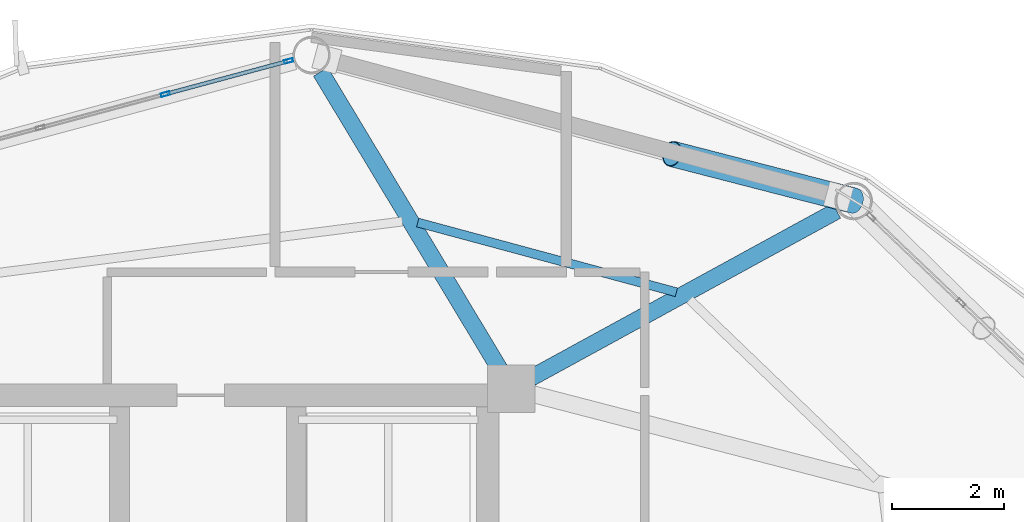
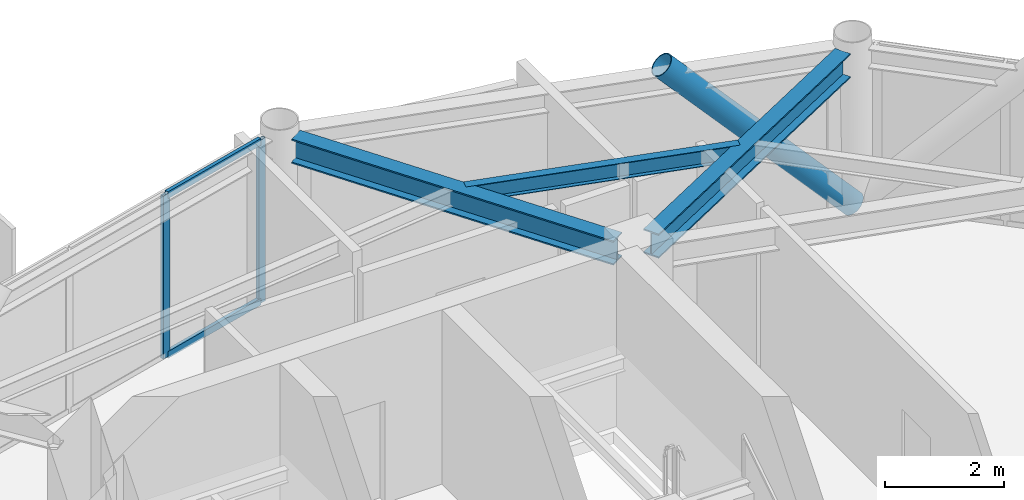
# One storey, part 20 of 28: 5 members, 3 beams, 1 element without a shape of its own.
"""IFC4 building model written with IfcOpenShell, lengths in metres."""

from ifc_helpers import new_model, si_unit, direction, frame, origin, origin_2d, place, context, subcontext, project, spatial, hollow_rectangle, hollow_circle, i_section, extrude, material, layer, layer_set, material_profile, profile_set, type_object, element, aggregate, save


model = new_model("IFC4")

# Units and contexts
model_context = context("Model", 3, precision=1e-05, world=origin(), true_north=direction((0.0, 1.0)))
body_context = subcontext(model_context, "Body", "Model", "MODEL_VIEW")
ifc_project = project(units=[si_unit("LENGTHUNIT", "METRE"), si_unit("AREAUNIT", "SQUARE_METRE"), si_unit("VOLUMEUNIT", "CUBIC_METRE"), si_unit("PLANEANGLEUNIT", "RADIAN"), si_unit("MASSUNIT", "GRAM", prefix="KILO")], contexts=[model_context])

# Site, building, storey
site_placement = place(None, origin())
site = spatial("IfcSite", under=ifc_project, at=site_placement, CompositionType="ELEMENT")
building_placement = place(site_placement, origin())
building = spatial("IfcBuilding", under=site, at=building_placement, Name="Varnakorn Sky Granary", CompositionType="ELEMENT")
storey_placement = place(building_placement, frame((0.0, 0.0, 193.199951171875)))
storey = spatial("IfcBuildingStorey", under=building, at=storey_placement, Name="L48", CompositionType="ELEMENT", Elevation=193.199951171875)

# Beams
ifc_material_1 = material(Name="Steel S355JR", Category="steel")
ifc_material_profile_1 = material_profile(ifc_material_1, i_section(OverallWidth=0.300048828125, OverallDepth=0.5, WebThickness=0.014404296875, FlangeThickness=0.028076171875, at=origin_2d()), Name="HE 500 B")
ifc_profile_set_1 = profile_set([ifc_material_profile_1], Name="Steel S355JR")
beam_type_1 = type_object("IfcBeamType", Name="BM-RAD-Z4", PredefinedType="BEAM", material=ifc_profile_set_1)
beam_1_placement = place(storey_placement, frame((8.775390625, 12.814208984375, 3.110107421875), z_axis=(0.877501876582, 0.479573202541, 0.0), x_axis=(-0.479573202541, 0.877501876582, 0.0)))
element("IfcBeam", 1, at=beam_1_placement, inside=storey, type_object=beam_type_1, Name="Radial Floor Girder RG03 L48", PredefinedType="BEAM", context=body_context, shape_type="SweptSolid", body=[
    extrude(i_section(OverallWidth=0.300048828125, OverallDepth=0.5, WebThickness=0.014404296875, FlangeThickness=0.028076171875, at=origin_2d()), origin(), (0.0, 0.0, 1.0), 6.2138671875),
])
beam_2_placement = place(storey_placement, frame((8.2109375, 12.966796875, 3.110107421875), z_axis=(-0.51595449165, 0.8566159948, 0.0), x_axis=(-0.8566159948, -0.51595449165, 0.0)))
element("IfcBeam", 2, at=beam_2_placement, inside=storey, type_object=beam_type_1, Name="Radial Floor Girder RG04 L48", PredefinedType="BEAM", context=body_context, shape_type="SweptSolid", body=[
    extrude(i_section(OverallWidth=0.300048828125, OverallDepth=0.5, WebThickness=0.014404296875, FlangeThickness=0.028076171875, at=origin_2d()), origin(), (0.0, 0.0, 1.0), 6.19921875),
])
ifc_material_profile_2 = material_profile(ifc_material_1, i_section(OverallWidth=0.159912109375, OverallDepth=0.330078125, WebThickness=0.007568359375, FlangeThickness=0.011474609375, at=origin_2d()), Name="IPE 330")
ifc_profile_set_2 = profile_set([ifc_material_profile_2], Name="Steel S355JR")
beam_type_2 = type_object("IfcBeamType", Name="BM-SEC-Z4", PredefinedType="BEAM", material=ifc_profile_set_2)
beam_3_placement = place(storey_placement, frame((11.36669921875, 14.340576171875, 3.195068359375), z_axis=(-0.96554724587, 0.260227815565, 0.0), x_axis=(-0.260227815565, -0.96554724587, 0.0)))
element("IfcBeam", 3, at=beam_3_placement, inside=storey, type_object=beam_type_2, Name="Secondary Floor Chord Beam MSB03 L48", PredefinedType="BEAM", context=body_context, shape_type="SweptSolid", body=[
    extrude(i_section(OverallWidth=0.159912109375, OverallDepth=0.330078125, WebThickness=0.007568359375, FlangeThickness=0.011474609375, at=origin_2d()), origin(), (0.0, 0.0, 1.0), 4.78466796875),
])

# Curtain wall, members
ifc_material_2 = material(Name="Anodised Bronze Aluminium Alloy 6063-T6", Category="aluminium")
ifc_layer = layer(ifc_material_2, 0.169921875, Name="Anodised Bronze Aluminium Alloy 6063-T6")
ifc_layer_set = layer_set([ifc_layer], Name="Anodised Bronze Aluminium Alloy 6063-T6")
curtain_wall_type = type_object("IfcCurtainWallType", Name="CW-LAB-1", PredefinedType="USERDEFINED", material=ifc_layer_set)
curtain_wall_placement = place(storey_placement, origin())
curtain_wall = element("IfcCurtainWall", 4, at=curtain_wall_placement, inside=storey, type_object=curtain_wall_type, Name="Unitised Curtain Wall CW5 CW-L48-B04", ObjectType="CURTAIN WALL", PredefinedType="USERDEFINED")
ifc_material_profile_3 = material_profile(ifc_material_2, hollow_rectangle(XDim=0.06494140625, YDim=0.159912109375, WallThickness=0.00341796875, at=origin_2d()), Name="ALU MULL 65x160")
ifc_profile_set_3 = profile_set([ifc_material_profile_3], Name="Anodised Bronze Aluminium Alloy 6063-T6")
member_type_1 = type_object("IfcMemberType", Name="CW-LAB-1-MULL", PredefinedType="MULLION", material=ifc_profile_set_3)
member_1_placement = place(storey_placement, frame((2.23974609375, 17.878662109375, 0.0), z_axis=(0.0, 0.0, 1.0), x_axis=(-0.259789749164, 0.965665204007, 0.0)))
member_1 = element("IfcMember", 5, at=member_1_placement, type_object=member_type_1, Name="CW5 mullion 4", PredefinedType="MULLION", context=body_context, shape_type="SweptSolid", body=[
    extrude(hollow_rectangle(XDim=0.06494140625, YDim=0.159912109375, WallThickness=0.00341796875, at=origin_2d()), origin(), (0.0, 0.0, 1.0), 3.360107421875),
])
member_2_placement = place(storey_placement, frame((4.44189453125, 18.47119140625, 0.0), z_axis=(0.0, 0.0, 1.0), x_axis=(-0.259789749164, 0.965665204007, 0.0)))
member_2 = element("IfcMember", 6, at=member_2_placement, type_object=member_type_1, Name="CW5 mullion 5", PredefinedType="MULLION", context=body_context, shape_type="SweptSolid", body=[
    extrude(hollow_rectangle(XDim=0.06494140625, YDim=0.159912109375, WallThickness=0.00341796875, at=origin_2d()), origin(), (0.0, 0.0, 1.0), 3.360107421875),
])
ifc_material_profile_4 = material_profile(ifc_material_2, hollow_rectangle(XDim=0.070068359375, YDim=0.139892578125, WallThickness=0.00341796875, at=origin_2d()), Name="ALU TRAN 70x140")
ifc_profile_set_4 = profile_set([ifc_material_profile_4], Name="Anodised Bronze Aluminium Alloy 6063-T6")
member_type_2 = type_object("IfcMemberType", Name="CW-LAB-1-TRAN", PredefinedType="USERDEFINED", material=ifc_profile_set_4)
member_3_placement = place(storey_placement, frame((2.27099609375, 17.88720703125, 0.03515625), z_axis=(0.965658299658, 0.25981541198, 0.0), x_axis=(-0.25981541198, 0.965658299658, 0.0)))
member_3 = element("IfcMember", 7, at=member_3_placement, type_object=member_type_2, Name="CW5 transom 4.1", ObjectType="TRANSOM", PredefinedType="USERDEFINED", context=body_context, shape_type="SweptSolid", body=[
    extrude(hollow_rectangle(XDim=0.070068359375, YDim=0.139892578125, WallThickness=0.00341796875, at=origin_2d()), origin(), (0.0, 0.0, 1.0), 2.2158203125),
])
member_4_placement = place(storey_placement, frame((2.27099609375, 17.88720703125, 3.324951171875), z_axis=(0.965658299658, 0.25981541198, 0.0), x_axis=(-0.25981541198, 0.965658299658, 0.0)))
member_4 = element("IfcMember", 8, at=member_4_placement, type_object=member_type_2, Name="CW5 transom 4.2", ObjectType="TRANSOM", PredefinedType="USERDEFINED", context=body_context, shape_type="SweptSolid", body=[
    extrude(hollow_rectangle(XDim=0.070068359375, YDim=0.139892578125, WallThickness=0.00341796875, at=origin_2d()), origin(), (0.0, 0.0, 1.0), 2.2158203125),
])
aggregate(curtain_wall, [member_1, member_2, member_3, member_4])

# Member
ifc_material_3 = material(Name="Steel S460M", Category="steel")
ifc_material_profile_5 = material_profile(ifc_material_3, hollow_circle(Radius=0.228515625, WallThickness=0.01611328125, at=origin_2d()), Name="CHS 457x16")
ifc_profile_set_5 = profile_set([ifc_material_profile_5], Name="Steel S460M")
member_type_3 = type_object("IfcMemberType", Name="MB-DIAG-T3", PredefinedType="BRACE", material=ifc_profile_set_5)
member_5_placement = place(storey_placement, frame((14.5380859375, 15.974609375, 0.0), z_axis=(-0.671409429135, 0.173006769336, 0.720609489413), x_axis=(-0.249526177568, -0.968368053329, 0.0)))
element("IfcMember", 9, at=member_5_placement, inside=storey, type_object=member_type_3, Name="Perimeter CHS Diagrid Brace DG03 L48", PredefinedType="BRACE", context=body_context, shape_type="SweptSolid", body=[
    extrude(hollow_circle(Radius=0.228515625, WallThickness=0.01611328125, at=origin_2d()), origin(), (0.0, 0.0, 1.0), 4.843017578125),
])

save(model, "model.ifc")
